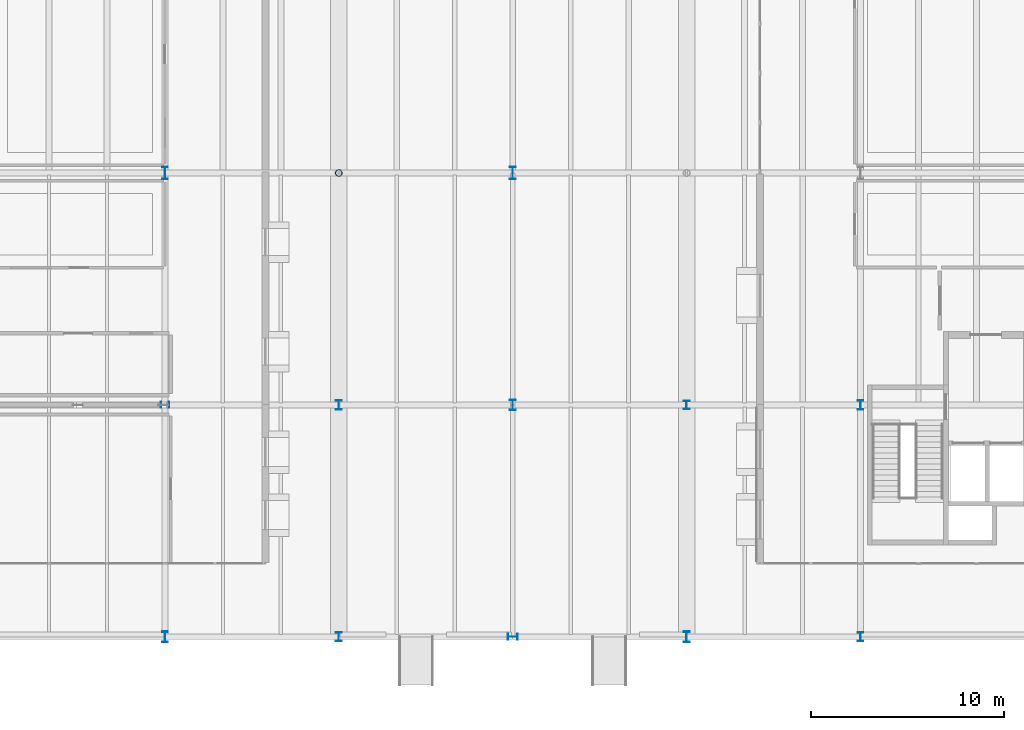
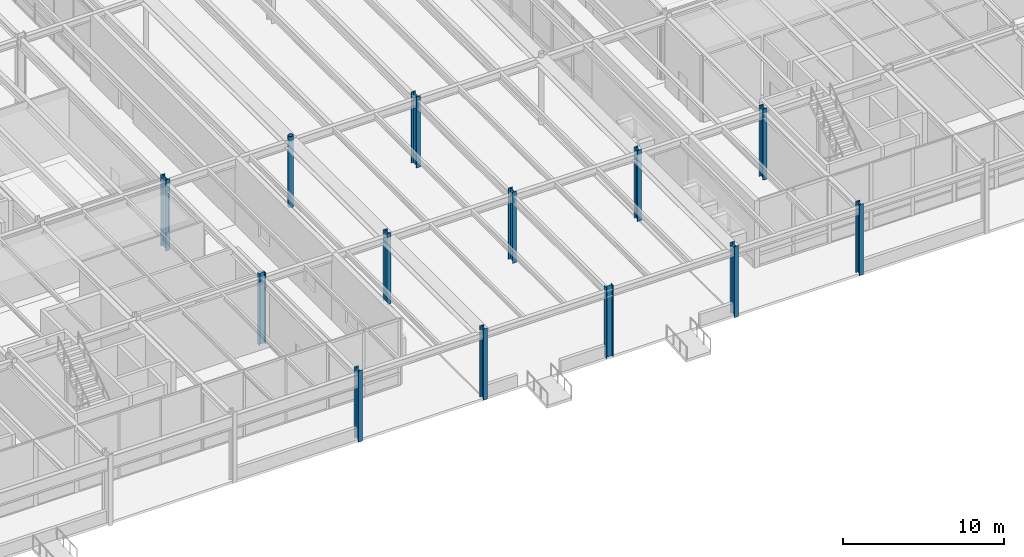
# One storey, part 4 of 143: 13 columns.
"""IFC4 building model written with IfcOpenShell, lengths in metres."""

import ifcopenshell
import ifcopenshell.guid

model = None  # the IFC model being written
_history = None  # IfcOwnerHistory: only IFC2X3 demands one
_inside = {}  # id of a spatial element -> (the spatial element, [elements in it])
_under = {}  # id of a project, library or spatial element -> (it, [spatial elements below it])
_declared = {}  # id of a project -> (the project, [libraries it declares])
_typed = {}  # id of a type object -> (the type object, [elements of that type])
_made_of = {}  # id of a material, layer set ... -> (it, [elements and type objects made of it])


def new_model(schema):
    """Start an empty IFC model of exactly this schema.

    Asked for "IFC4X3", IfcOpenShell would pick the latest addendum, in which some entities
    have other attributes; the version numbers below select the first issue.
    IFC2X3 requires an IfcOwnerHistory on every rooted entity: one is made here for all.
    """
    global model, _history
    if schema == "IFC4X3":
        model = ifcopenshell.file(schema_version=(4, 3, 0, 0))
    else:
        model = ifcopenshell.file(schema=schema)
    _inside.clear()
    _under.clear()
    _declared.clear()
    _typed.clear()
    _made_of.clear()
    _history = None
    if model.schema == "IFC2X3":
        org = make("IfcOrganization", Name="unknown")
        user = make(
            "IfcPersonAndOrganization",
            ThePerson=make("IfcPerson", FamilyName="unknown"),
            TheOrganization=org,
        )
        app = make(
            "IfcApplication",
            ApplicationDeveloper=org,
            Version="unknown",
            ApplicationFullName="unknown",
            ApplicationIdentifier="unknown",
        )
        _history = make(
            "IfcOwnerHistory",
            OwningUser=user,
            OwningApplication=app,
            ChangeAction="ADDED",
            CreationDate=0,
        )
    return model


def make(cls, **values):
    """One entity of the class cls with the attributes given. An attribute that is None is left unset."""
    return model.create_entity(
        cls, **{name: value for name, value in values.items() if value is not None}
    )


def rooted(cls, **values):
    """An entity with a GlobalId (a new one), such as an element, a storey or a relation."""
    return make(cls, GlobalId=ifcopenshell.guid.new(), OwnerHistory=_history, **values)


def si_unit(unit_type, name, prefix=None):
    """IfcSIUnit, for example si_unit("LENGTHUNIT", "METRE", prefix="MILLI")."""
    return make("IfcSIUnit", UnitType=unit_type, Prefix=prefix, Name=name)


def assignment(units):
    """IfcUnitAssignment: the units of a project."""
    return None if units is None else make("IfcUnitAssignment", Units=units)


def point(xyz):
    """IfcCartesianPoint."""
    return None if xyz is None else make("IfcCartesianPoint", Coordinates=xyz)


def direction(xyz):
    """IfcDirection."""
    return None if xyz is None else make("IfcDirection", DirectionRatios=xyz)


def frame(location, z_axis=None, x_axis=None):
    """IfcAxis2Placement3D, a coordinate frame: its origin and axes. An axis left out is left unset."""
    return make(
        "IfcAxis2Placement3D",
        Location=point(location),
        Axis=direction(z_axis),
        RefDirection=direction(x_axis),
    )


def frame_2d(location, x_axis=None):
    """IfcAxis2Placement2D, a coordinate frame in the plane: its origin and x axis."""
    return make(
        "IfcAxis2Placement2D", Location=point(location), RefDirection=direction(x_axis)
    )


def origin():
    """The frame at (0, 0, 0) with its axes left unset."""
    return frame((0.0, 0.0, 0.0))


def origin_2d():
    """The frame at (0, 0) in the plane with its x axis left unset."""
    return frame_2d((0.0, 0.0))


def place(relative_to, where):
    """IfcLocalPlacement: puts the frame where relative to a parent placement (None: the world)."""
    return make(
        "IfcLocalPlacement", PlacementRelTo=relative_to, RelativePlacement=where
    )


def context(
    kind, dimensions, precision=None, world=None, true_north=None, identifier=None
):
    """IfcGeometricRepresentationContext, for example the 3D "Model" context."""
    return make(
        "IfcGeometricRepresentationContext",
        ContextIdentifier=identifier,
        ContextType=kind,
        CoordinateSpaceDimension=dimensions,
        Precision=precision,
        WorldCoordinateSystem=world,
        TrueNorth=true_north,
    )


def subcontext(parent, identifier, kind, view, scale=None):
    """IfcGeometricRepresentationSubContext, for example "Body" below "Model"."""
    return make(
        "IfcGeometricRepresentationSubContext",
        ContextIdentifier=identifier,
        ContextType=kind,
        ParentContext=parent,
        TargetScale=scale,
        TargetView=view,
    )


def project(units=None, contexts=None):
    """IfcProject with its units and contexts."""
    return rooted(
        "IfcProject",
        Name="project",
        RepresentationContexts=contexts,
        UnitsInContext=assignment(units),
    )


def spatial(cls, under=None, at=None, **own):
    """A site, building, storey or space (cls), placed at a placement, below another one or the project."""
    s = rooted(cls, ObjectPlacement=at, **own)
    if under is not None:
        _under.setdefault(under.id(), (under, []))[1].append(s)
    return s


def profile(cls, at=None, kind="AREA", **sizes):
    """A parametric profile (cls). Its sizes go by their IFC names, for example OverallWidth=200.0."""
    return make(cls, ProfileType=kind, Position=at, **sizes)


def hollow_circle(**sizes):
    """IfcCircleHollowProfileDef."""
    return profile("IfcCircleHollowProfileDef", **sizes)


def i_section(**sizes):
    """IfcIShapeProfileDef."""
    return profile("IfcIShapeProfileDef", **sizes)


def extrude(swept, where, along, depth):
    """IfcExtrudedAreaSolid: the profile swept, set in the frame where, extruded along a direction by depth."""
    return make(
        "IfcExtrudedAreaSolid",
        SweptArea=swept,
        Position=where,
        ExtrudedDirection=direction(along),
        Depth=depth,
    )


def shape(context_of_items, identifier, shape_type, items):
    """IfcShapeRepresentation: the items that make up one representation, for example the "Body"."""
    return make(
        "IfcShapeRepresentation",
        ContextOfItems=context_of_items,
        RepresentationIdentifier=identifier,
        RepresentationType=shape_type,
        Items=items,
    )


def material(Name=None, Category=None):
    """IfcMaterial."""
    return make("IfcMaterial", Name=Name, Category=Category)


def material_profile(
    of_material, cross_section, Name=None, Category=None, Priority=None
):
    """IfcMaterialProfile: a cross section and its material."""
    return make(
        "IfcMaterialProfile",
        Name=Name,
        Material=of_material,
        Profile=cross_section,
        Priority=Priority,
        Category=Category,
    )


def profile_set(profiles, Name=None, composite=None):
    """IfcMaterialProfileSet."""
    return make(
        "IfcMaterialProfileSet",
        Name=Name,
        MaterialProfiles=profiles,
        CompositeProfile=composite,
    )


def made_of(thing, what):
    """Note that an element or type object is made of a material, layer set ...; save() writes the relation."""
    if what is not None:
        _made_of.setdefault(what.id(), (what, []))[1].append(thing)
    return thing


def type_object(cls, material=None, **own):
    """A type object (cls), such as IfcWallType, which elements share."""
    return made_of(rooted(cls, **own), material)


def element(
    cls,
    number,
    at=None,
    inside=None,
    cuts=None,
    type_object=None,
    material=None,
    context=None,
    identifier="Body",
    shape_type=None,
    held_by="IfcProductDefinitionShape",
    body=None,
    shapes=None,
    **own,
):
    """One element of the class cls, such as IfcWall. Its Tag is "e" and its number.

    at: its placement. inside: the storey or other place that contains it. cuts: it is an
    opening in that element (IfcRelVoidsElement). A single representation is given by context,
    identifier, shape_type and body (its items); several are given by shapes. held_by: the class
    of the entity that holds the representations. save() writes the other relations.
    """
    e = rooted(cls, Tag="e%d" % number, ObjectPlacement=at, **own)
    if body is not None:
        shapes = [shape(context, identifier, shape_type, body)]
    if shapes is not None:
        e.Representation = make(held_by, Representations=shapes)
    if inside is not None:
        _inside.setdefault(inside.id(), (inside, []))[1].append(e)
    if cuts is not None:
        rooted(
            "IfcRelVoidsElement", RelatingBuildingElement=cuts, RelatedOpeningElement=e
        )
    if type_object is not None:
        _typed.setdefault(type_object.id(), (type_object, []))[1].append(e)
    return made_of(e, material)


def aggregate(whole, parts):
    """IfcRelAggregates: a whole, such as a stair, and the parts it consists of."""
    return rooted("IfcRelAggregates", RelatingObject=whole, RelatedObjects=parts)


def save(model, path):
    """Write the relations noted so far, then the file.

    IfcRelAggregates (storeys below a building ...), IfcRelContainedInSpatialStructure (elements
    in a storey), IfcRelDefinesByType, IfcRelAssociatesMaterial and IfcRelDeclares: one each for
    every whole, place, type object, material and project.
    """
    for whole, parts in _under.values():
        aggregate(whole, parts)
    for where, things in _inside.values():
        rooted(
            "IfcRelContainedInSpatialStructure",
            RelatedElements=things,
            RelatingStructure=where,
        )
    for kind, things in _typed.values():
        rooted("IfcRelDefinesByType", RelatedObjects=things, RelatingType=kind)
    for what, things in _made_of.values():
        rooted("IfcRelAssociatesMaterial", RelatedObjects=things, RelatingMaterial=what)
    for by, libraries in _declared.values():
        rooted("IfcRelDeclares", RelatingContext=by, RelatedDefinitions=libraries)
    model.write(path)


model = new_model("IFC4")

# Units and contexts
model_context = context("Model", 3, precision=1e-05, world=origin(), true_north=direction((0.0, 1.0)))
body_context = subcontext(model_context, "Body", "Model", "MODEL_VIEW")
ifc_project = project(units=[si_unit("LENGTHUNIT", "METRE"), si_unit("AREAUNIT", "SQUARE_METRE"), si_unit("VOLUMEUNIT", "CUBIC_METRE"), si_unit("PLANEANGLEUNIT", "RADIAN"), si_unit("MASSUNIT", "GRAM", prefix="KILO")], contexts=[model_context])

# Site, building, storey
site_placement = place(None, origin())
site = spatial("IfcSite", under=ifc_project, at=site_placement, CompositionType="ELEMENT")
building_placement = place(site_placement, origin())
building = spatial("IfcBuilding", under=site, at=building_placement, Name="Montelvaro Courts of Justice", CompositionType="ELEMENT")
storey_placement = place(building_placement, origin())
storey = spatial("IfcBuildingStorey", under=building, at=storey_placement, Name="L00", CompositionType="ELEMENT", Elevation=0.0)

# Columns
ifc_material = material(Name="Steel S355", Category="steel")
ifc_material_profile_1 = material_profile(ifc_material, hollow_circle(Radius=0.177734375, WallThickness=0.01611328125, at=origin_2d()), Name="CHS 355.6x16")
ifc_profile_set_1 = profile_set([ifc_material_profile_1], Name="Steel S355")
column_type_1 = type_object("IfcColumnType", Name="Col_CHS356", PredefinedType="PILASTER", material=ifc_profile_set_1)
column_placement = place(storey_placement, frame((81.0, 24.0, 0.0), z_axis=(0.0, 0.0, 1.0), x_axis=(1.0, 0.0, 0.0)))
element("IfcColumn", 1, at=column_placement, inside=storey, type_object=column_type_1, Name="Column C-19 L00 10/C", PredefinedType="PILASTER", context=body_context, shape_type="SweptSolid", body=[
    extrude(hollow_circle(Radius=0.177734375, WallThickness=0.01611328125, at=origin_2d()), origin(), (0.0, 0.0, 1.0), 5.39990234375),
])
ifc_material_profile_2 = material_profile(ifc_material, i_section(OverallWidth=0.300048828125, OverallDepth=0.449951171875, WebThickness=0.013916015625, FlangeThickness=0.02587890625, at=origin_2d()), Name="HEB 450")
ifc_profile_set_2 = profile_set([ifc_material_profile_2], Name="Steel S355")
column_type_2 = type_object("IfcColumnType", Name="Col_HEB450", PredefinedType="COLUMN", material=ifc_profile_set_2)
for number, where, z_axis, x_axis, name in (
    (2, (72.0, 12.0, 0.0), (0.0, 0.0, 1.0), (0.0, 1.0, 0.0), "Column C-08 L00 9/B"),
    (3, (81.0, 0.0, 0.0), (0.0, 0.0, 1.0), (1.0, 0.0, 0.0), "Column C-08 L00 10/A"),
    (4, (99.0, 12.0, 0.0), (0.0, 0.0, 1.0), (1.0, 0.0, 0.0), "Column C-08 L00 12/B"),
    (5, (108.0, 0.0, 0.0), (0.0, 0.0, 1.0), (1.0, 0.0, 0.0), "Column C-08 L00 13/A"),
):
    element("IfcColumn", number, at=place(storey_placement, frame(where, z_axis=z_axis, x_axis=x_axis)), inside=storey, type_object=column_type_2, Name=name, PredefinedType="COLUMN", context=body_context, shape_type="SweptSolid", body=[
        extrude(i_section(OverallWidth=0.300048828125, OverallDepth=0.449951171875, WebThickness=0.013916015625, FlangeThickness=0.02587890625, at=origin_2d()), origin(), (0.0, 0.0, 1.0), 5.39990234375),
    ])
ifc_material_profile_3 = material_profile(ifc_material, i_section(OverallWidth=0.300048828125, OverallDepth=0.5, WebThickness=0.014404296875, FlangeThickness=0.028076171875, at=origin_2d()), Name="HEB 500")
ifc_profile_set_3 = profile_set([ifc_material_profile_3], Name="Steel S355")
column_type_3 = type_object("IfcColumnType", Name="Col_HEB500", PredefinedType="COLUMN", material=ifc_profile_set_3)
for number, where, z_axis, x_axis, name in (
    (6, (81.0, 12.0, 0.0), (0.0, 0.0, 1.0), (1.0, 0.0, 0.0), "Column C-09 L00 10/B"),
    (7, (90.0, 0.0, 0.0), (0.0, 0.0, 1.0), (0.0, 1.0, 0.0), "Column C-09 L00 11/A"),
    (8, (108.0, 12.0, 0.0), (0.0, 0.0, 1.0), (1.0, 0.0, 0.0), "Column C-09 L00 13/B"),
):
    element("IfcColumn", number, at=place(storey_placement, frame(where, z_axis=z_axis, x_axis=x_axis)), inside=storey, type_object=column_type_3, Name=name, PredefinedType="COLUMN", context=body_context, shape_type="SweptSolid", body=[
        extrude(i_section(OverallWidth=0.300048828125, OverallDepth=0.5, WebThickness=0.014404296875, FlangeThickness=0.028076171875, at=origin_2d()), origin(), (0.0, 0.0, 1.0), 5.39990234375),
    ])
ifc_material_profile_4 = material_profile(ifc_material, i_section(OverallWidth=0.300048828125, OverallDepth=0.550048828125, WebThickness=0.014892578125, FlangeThickness=0.029052734375, at=origin_2d()), Name="HEB 550")
ifc_profile_set_4 = profile_set([ifc_material_profile_4], Name="Steel S355")
column_type_4 = type_object("IfcColumnType", Name="Col_HEB550", PredefinedType="COLUMN", material=ifc_profile_set_4)
for number, where, z_axis, x_axis, name in (
    (9, (72.0, 0.0, 0.0), (0.0, 0.0, 1.0), (1.0, 0.0, 0.0), "Column C-10 L00 9/A"),
    (10, (90.0, 12.0, 0.0), (0.0, 0.0, 1.0), (1.0, 0.0, 0.0), "Column C-10 L00 11/B"),
    (11, (99.0, 0.0, 0.0), (0.0, 0.0, 1.0), (1.0, 0.0, 0.0), "Column C-10 L00 12/A"),
):
    element("IfcColumn", number, at=place(storey_placement, frame(where, z_axis=z_axis, x_axis=x_axis)), inside=storey, type_object=column_type_4, Name=name, PredefinedType="COLUMN", context=body_context, shape_type="SweptSolid", body=[
        extrude(i_section(OverallWidth=0.300048828125, OverallDepth=0.550048828125, WebThickness=0.014892578125, FlangeThickness=0.029052734375, at=origin_2d()), origin(), (0.0, 0.0, 1.0), 5.39990234375),
    ])
ifc_material_profile_5 = material_profile(ifc_material, i_section(OverallWidth=0.300048828125, OverallDepth=0.64990234375, WebThickness=0.01611328125, FlangeThickness=0.031005859375, at=origin_2d()), Name="HEB 650")
ifc_profile_set_5 = profile_set([ifc_material_profile_5], Name="Steel S355")
column_type_5 = type_object("IfcColumnType", Name="Col_HEB650", PredefinedType="COLUMN", material=ifc_profile_set_5)
for number, where, z_axis, x_axis, name in (
    (12, (72.0, 24.0, 0.0), (0.0, 0.0, 1.0), (1.0, 0.0, 0.0), "Column C-12 L00 9/C"),
    (13, (90.0, 24.0, 0.0), (0.0, 0.0, 1.0), (1.0, 0.0, 0.0), "Column C-12 L00 11/C"),
):
    element("IfcColumn", number, at=place(storey_placement, frame(where, z_axis=z_axis, x_axis=x_axis)), inside=storey, type_object=column_type_5, Name=name, PredefinedType="COLUMN", context=body_context, shape_type="SweptSolid", body=[
        extrude(i_section(OverallWidth=0.300048828125, OverallDepth=0.64990234375, WebThickness=0.01611328125, FlangeThickness=0.031005859375, at=origin_2d()), origin(), (0.0, 0.0, 1.0), 5.39990234375),
    ])

save(model, "model.ifc")
